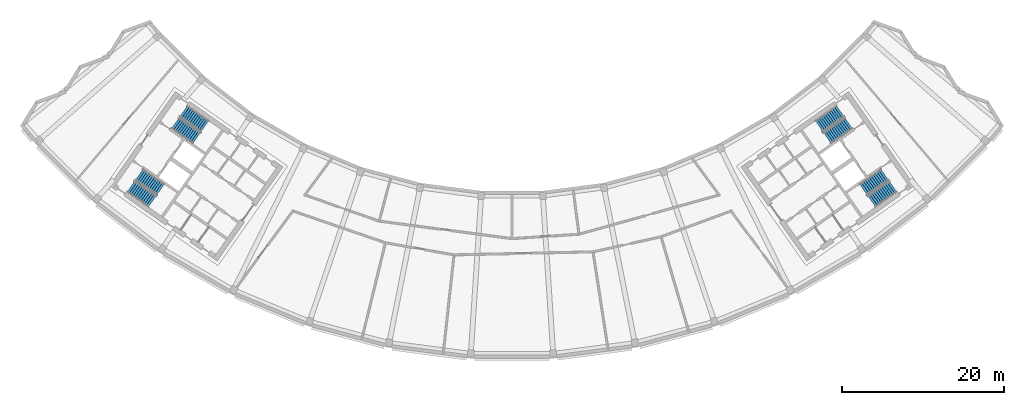
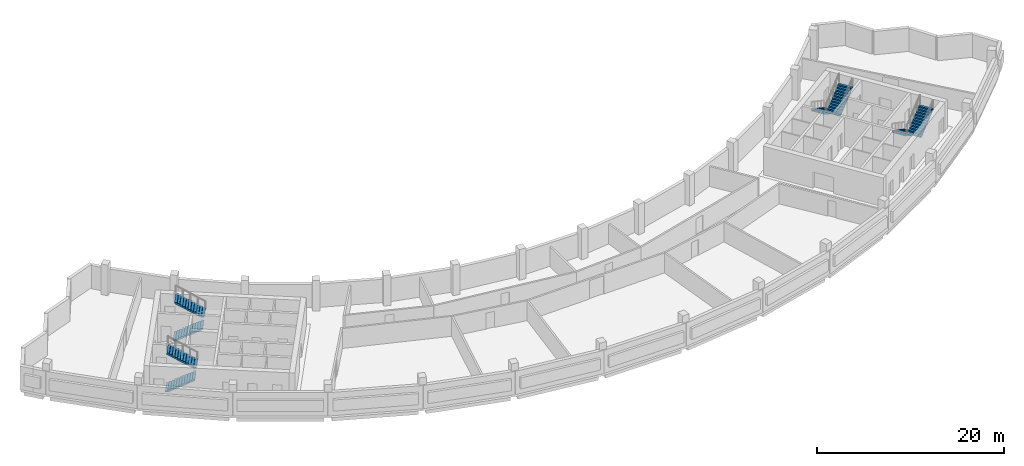
# One storey, part 7 of 11: 8 stair flights, 4 elements without a shape of their own.
"""IFC4 building model written with IfcOpenShell, lengths in metres."""

from ifc_helpers import new_model, si_unit, direction, frame, origin, place, context, subcontext, project, spatial, polyline, outline, extrude, material, type_object, element, aggregate, save


model = new_model("IFC4")

# Units and contexts
model_context = context("Model", 3, precision=1e-05, world=origin(), true_north=direction((0.0, 1.0)))
body_context = subcontext(model_context, "Body", "Model", "MODEL_VIEW")
ifc_project = project(units=[si_unit("LENGTHUNIT", "METRE"), si_unit("AREAUNIT", "SQUARE_METRE"), si_unit("VOLUMEUNIT", "CUBIC_METRE"), si_unit("PLANEANGLEUNIT", "RADIAN"), si_unit("MASSUNIT", "GRAM", prefix="KILO")], contexts=[model_context])

# Site, building, storey
site_placement = place(None, origin())
site = spatial("IfcSite", under=ifc_project, at=site_placement, CompositionType="ELEMENT")
building_placement = place(site_placement, origin())
building = spatial("IfcBuilding", under=site, at=building_placement, Name="Qamariyya Broadcast Tower", CompositionType="ELEMENT")
storey_placement = place(building_placement, frame((0.0, 0.0, 302.699951171875)))
storey = spatial("IfcBuildingStorey", under=building, at=storey_placement, Name="L73", CompositionType="ELEMENT", Elevation=302.699951171875)

# Stair, stair flights
ifc_material = material(Name="Concrete C50/60", Category="concrete")
stair_type = type_object("IfcStairType", Name="Exit stair 24 risers of 167 mm", PredefinedType="HALF_TURN_STAIR", material=ifc_material)
stair_1_placement = place(storey_placement, origin())
stair_1 = element("IfcStair", 1, at=stair_1_placement, inside=storey, type_object=stair_type, Name="L73 Stair W2", PredefinedType="HALF_TURN_STAIR")
stair_flight_type = type_object("IfcStairFlightType", Name="Exit stair flight 12 risers of 167 mm", PredefinedType="STRAIGHT", material=ifc_material)
stair_flight_1_placement = place(storey_placement, frame((-41.59130859375, -49.15966796875, 0.0), z_axis=(0.0, 0.0, 1.0), x_axis=(0.819152044289, -0.573576436351, 0.0)))
stair_flight_1 = element("IfcStairFlight", 2, at=stair_flight_1_placement, type_object=stair_flight_type, Name="ST-W2 flight 1", NumberOfRisers=12, NumberOfTreads=11, PredefinedType="STRAIGHT", RiserHeight=0.166666667, TreadLength=0.29, context=body_context, shape_type="SweptSolid", body=[
    extrude(outline(polyline([(0.0, 0.0), (0.0, 0.166748046875), (0.2900390625, 0.166748046875), (0.2900390625, 0.333251953125), (0.580078125, 0.333251953125), (0.580078125, 0.5), (0.8701171875, 0.5), (0.8701171875, 0.666748046875), (1.159912109375, 0.666748046875), (1.159912109375, 0.833251953125), (1.449951171875, 0.833251953125), (1.449951171875, 1.0), (1.739990234375, 1.0), (1.739990234375, 1.166748046875), (2.030029296875, 1.166748046875), (2.030029296875, 1.333251953125), (2.320068359375, 1.333251953125), (2.320068359375, 1.5), (2.610107421875, 1.5), (2.610107421875, 1.666748046875), (2.89990234375, 1.666748046875), (2.89990234375, 1.833251953125), (3.18994140625, 1.833251953125), (3.18994140625, 2.0), (3.18994140625, 1.660400390625), (0.30078125, 0.0), (0.0, 0.0)])), frame((0.0, 0.824951171875, 0.0), z_axis=(0.0, -1.0, 0.0), x_axis=(1.0, 0.0, 0.0)), (0.0, 0.0, 1.0), 1.64990234375),
])
stair_flight_2_placement = place(storey_placement, frame((-37.945556640625, -49.514892578125, 2.0), z_axis=(0.0, 0.0, 1.0), x_axis=(-0.819152044289, 0.573576436351, 0.0)))
stair_flight_2 = element("IfcStairFlight", 3, at=stair_flight_2_placement, type_object=stair_flight_type, Name="ST-W2 flight 2", NumberOfRisers=12, NumberOfTreads=11, PredefinedType="STRAIGHT", RiserHeight=0.166666667, TreadLength=0.29, context=body_context, shape_type="SweptSolid", body=[
    extrude(outline(polyline([(0.0, 0.0), (0.0, 0.166748046875), (0.2900390625, 0.166748046875), (0.2900390625, 0.333251953125), (0.580078125, 0.333251953125), (0.580078125, 0.5), (0.8701171875, 0.5), (0.8701171875, 0.666748046875), (1.159912109375, 0.666748046875), (1.159912109375, 0.833251953125), (1.449951171875, 0.833251953125), (1.449951171875, 1.0), (1.739990234375, 1.0), (1.739990234375, 1.166748046875), (2.030029296875, 1.166748046875), (2.030029296875, 1.333251953125), (2.320068359375, 1.333251953125), (2.320068359375, 1.5), (2.610107421875, 1.5), (2.610107421875, 1.666748046875), (2.89990234375, 1.666748046875), (2.89990234375, 1.833251953125), (3.18994140625, 1.833251953125), (3.18994140625, 2.0), (3.18994140625, 1.660400390625), (0.30078125, 0.0), (0.0, 0.0)])), frame((0.0, 0.824951171875, 0.0), z_axis=(0.0, -1.0, 0.0), x_axis=(1.0, 0.0, 0.0)), (0.0, 0.0, 1.0), 1.64990234375),
])
aggregate(stair_1, [stair_flight_1, stair_flight_2])

stair_2_placement = place(storey_placement, origin())
stair_2 = element("IfcStair", 4, at=stair_2_placement, inside=storey, type_object=stair_type, Name="L73 Stair W1", PredefinedType="HALF_TURN_STAIR")
stair_flight_3_placement = place(storey_placement, frame((-47.06884765625, -56.982666015625, 0.0), z_axis=(0.0, 0.0, 1.0), x_axis=(0.819152044289, -0.573576436351, 0.0)))
stair_flight_3 = element("IfcStairFlight", 5, at=stair_flight_3_placement, type_object=stair_flight_type, Name="ST-W1 flight 1", NumberOfRisers=12, NumberOfTreads=11, PredefinedType="STRAIGHT", RiserHeight=0.166666667, TreadLength=0.29, context=body_context, shape_type="SweptSolid", body=[
    extrude(outline(polyline([(0.0, 0.0), (0.0, 0.166748046875), (0.2900390625, 0.166748046875), (0.2900390625, 0.333251953125), (0.580078125, 0.333251953125), (0.580078125, 0.5), (0.8701171875, 0.5), (0.8701171875, 0.666748046875), (1.159912109375, 0.666748046875), (1.159912109375, 0.833251953125), (1.449951171875, 0.833251953125), (1.449951171875, 1.0), (1.739990234375, 1.0), (1.739990234375, 1.166748046875), (2.030029296875, 1.166748046875), (2.030029296875, 1.333251953125), (2.320068359375, 1.333251953125), (2.320068359375, 1.5), (2.610107421875, 1.5), (2.610107421875, 1.666748046875), (2.89990234375, 1.666748046875), (2.89990234375, 1.833251953125), (3.18994140625, 1.833251953125), (3.18994140625, 2.0), (3.18994140625, 1.660400390625), (0.30078125, 0.0), (0.0, 0.0)])), frame((0.0, 0.824951171875, 0.0), z_axis=(0.0, -1.0, 0.0), x_axis=(1.0, 0.0, 0.0)), (0.0, 0.0, 1.0), 1.64990234375),
])
stair_flight_4_placement = place(storey_placement, frame((-43.42333984375, -57.337890625, 2.0), z_axis=(0.0, 0.0, 1.0), x_axis=(-0.819152044289, 0.573576436351, 0.0)))
stair_flight_4 = element("IfcStairFlight", 6, at=stair_flight_4_placement, type_object=stair_flight_type, Name="ST-W1 flight 2", NumberOfRisers=12, NumberOfTreads=11, PredefinedType="STRAIGHT", RiserHeight=0.166666667, TreadLength=0.29, context=body_context, shape_type="SweptSolid", body=[
    extrude(outline(polyline([(0.0, 0.0), (0.0, 0.166748046875), (0.2900390625, 0.166748046875), (0.2900390625, 0.333251953125), (0.580078125, 0.333251953125), (0.580078125, 0.5), (0.8701171875, 0.5), (0.8701171875, 0.666748046875), (1.159912109375, 0.666748046875), (1.159912109375, 0.833251953125), (1.449951171875, 0.833251953125), (1.449951171875, 1.0), (1.739990234375, 1.0), (1.739990234375, 1.166748046875), (2.030029296875, 1.166748046875), (2.030029296875, 1.333251953125), (2.320068359375, 1.333251953125), (2.320068359375, 1.5), (2.610107421875, 1.5), (2.610107421875, 1.666748046875), (2.89990234375, 1.666748046875), (2.89990234375, 1.833251953125), (3.18994140625, 1.833251953125), (3.18994140625, 2.0), (3.18994140625, 1.660400390625), (0.30078125, 0.0), (0.0, 0.0)])), frame((0.0, 0.824951171875, 0.0), z_axis=(0.0, -1.0, 0.0), x_axis=(1.0, 0.0, 0.0)), (0.0, 0.0, 1.0), 1.64990234375),
])
aggregate(stair_2, [stair_flight_3, stair_flight_4])

stair_3_placement = place(storey_placement, origin())
stair_3 = element("IfcStair", 7, at=stair_3_placement, inside=storey, type_object=stair_type, Name="L73 Stair E2", PredefinedType="HALF_TURN_STAIR")
stair_flight_5_placement = place(storey_placement, frame((40.558837890625, -47.685302734375, 0.0), z_axis=(0.0, 0.0, 1.0), x_axis=(-0.819152044289, -0.573576436351, 0.0)))
stair_flight_5 = element("IfcStairFlight", 8, at=stair_flight_5_placement, type_object=stair_flight_type, Name="ST-E2 flight 1", NumberOfRisers=12, NumberOfTreads=11, PredefinedType="STRAIGHT", RiserHeight=0.166666667, TreadLength=0.29, context=body_context, shape_type="SweptSolid", body=[
    extrude(outline(polyline([(0.0, 0.0), (0.0, 0.166748046875), (0.2900390625, 0.166748046875), (0.2900390625, 0.333251953125), (0.580078125, 0.333251953125), (0.580078125, 0.5), (0.8701171875, 0.5), (0.8701171875, 0.666748046875), (1.159912109375, 0.666748046875), (1.159912109375, 0.833251953125), (1.449951171875, 0.833251953125), (1.449951171875, 1.0), (1.739990234375, 1.0), (1.739990234375, 1.166748046875), (2.030029296875, 1.166748046875), (2.030029296875, 1.333251953125), (2.320068359375, 1.333251953125), (2.320068359375, 1.5), (2.610107421875, 1.5), (2.610107421875, 1.666748046875), (2.89990234375, 1.666748046875), (2.89990234375, 1.833251953125), (3.18994140625, 1.833251953125), (3.18994140625, 2.0), (3.18994140625, 1.660400390625), (0.30078125, 0.0), (0.0, 0.0)])), frame((0.0, 0.824951171875, 0.0), z_axis=(0.0, -1.0, 0.0), x_axis=(1.0, 0.0, 0.0)), (0.0, 0.0, 1.0), 1.64990234375),
])
stair_flight_6_placement = place(storey_placement, frame((38.97802734375, -50.989501953125, 2.0), z_axis=(0.0, 0.0, 1.0), x_axis=(0.819152044289, 0.573576436351, 0.0)))
stair_flight_6 = element("IfcStairFlight", 9, at=stair_flight_6_placement, type_object=stair_flight_type, Name="ST-E2 flight 2", NumberOfRisers=12, NumberOfTreads=11, PredefinedType="STRAIGHT", RiserHeight=0.166666667, TreadLength=0.29, context=body_context, shape_type="SweptSolid", body=[
    extrude(outline(polyline([(0.0, 0.0), (0.0, 0.166748046875), (0.2900390625, 0.166748046875), (0.2900390625, 0.333251953125), (0.580078125, 0.333251953125), (0.580078125, 0.5), (0.8701171875, 0.5), (0.8701171875, 0.666748046875), (1.159912109375, 0.666748046875), (1.159912109375, 0.833251953125), (1.449951171875, 0.833251953125), (1.449951171875, 1.0), (1.739990234375, 1.0), (1.739990234375, 1.166748046875), (2.030029296875, 1.166748046875), (2.030029296875, 1.333251953125), (2.320068359375, 1.333251953125), (2.320068359375, 1.5), (2.610107421875, 1.5), (2.610107421875, 1.666748046875), (2.89990234375, 1.666748046875), (2.89990234375, 1.833251953125), (3.18994140625, 1.833251953125), (3.18994140625, 2.0), (3.18994140625, 1.660400390625), (0.30078125, 0.0), (0.0, 0.0)])), frame((0.0, 0.824951171875, 0.0), z_axis=(0.0, -1.0, 0.0), x_axis=(1.0, 0.0, 0.0)), (0.0, 0.0, 1.0), 1.64990234375),
])
aggregate(stair_3, [stair_flight_5, stair_flight_6])

stair_4_placement = place(storey_placement, origin())
stair_4 = element("IfcStair", 10, at=stair_4_placement, inside=storey, type_object=stair_type, Name="L73 Stair E1", PredefinedType="HALF_TURN_STAIR")
stair_flight_7_placement = place(storey_placement, frame((46.036376953125, -55.508056640625, 0.0), z_axis=(0.0, 0.0, 1.0), x_axis=(-0.819152044289, -0.573576436351, 0.0)))
stair_flight_7 = element("IfcStairFlight", 11, at=stair_flight_7_placement, type_object=stair_flight_type, Name="ST-E1 flight 1", NumberOfRisers=12, NumberOfTreads=11, PredefinedType="STRAIGHT", RiserHeight=0.166666667, TreadLength=0.29, context=body_context, shape_type="SweptSolid", body=[
    extrude(outline(polyline([(0.0, 0.0), (0.0, 0.166748046875), (0.2900390625, 0.166748046875), (0.2900390625, 0.333251953125), (0.580078125, 0.333251953125), (0.580078125, 0.5), (0.8701171875, 0.5), (0.8701171875, 0.666748046875), (1.159912109375, 0.666748046875), (1.159912109375, 0.833251953125), (1.449951171875, 0.833251953125), (1.449951171875, 1.0), (1.739990234375, 1.0), (1.739990234375, 1.166748046875), (2.030029296875, 1.166748046875), (2.030029296875, 1.333251953125), (2.320068359375, 1.333251953125), (2.320068359375, 1.5), (2.610107421875, 1.5), (2.610107421875, 1.666748046875), (2.89990234375, 1.666748046875), (2.89990234375, 1.833251953125), (3.18994140625, 1.833251953125), (3.18994140625, 2.0), (3.18994140625, 1.660400390625), (0.30078125, 0.0), (0.0, 0.0)])), frame((0.0, 0.824951171875, 0.0), z_axis=(0.0, -1.0, 0.0), x_axis=(1.0, 0.0, 0.0)), (0.0, 0.0, 1.0), 1.64990234375),
])
stair_flight_8_placement = place(storey_placement, frame((44.455810546875, -58.812255859375, 2.0), z_axis=(0.0, 0.0, 1.0), x_axis=(0.819152044289, 0.573576436351, 0.0)))
stair_flight_8 = element("IfcStairFlight", 12, at=stair_flight_8_placement, type_object=stair_flight_type, Name="ST-E1 flight 2", NumberOfRisers=12, NumberOfTreads=11, PredefinedType="STRAIGHT", RiserHeight=0.166666667, TreadLength=0.29, context=body_context, shape_type="SweptSolid", body=[
    extrude(outline(polyline([(0.0, 0.0), (0.0, 0.166748046875), (0.2900390625, 0.166748046875), (0.2900390625, 0.333251953125), (0.580078125, 0.333251953125), (0.580078125, 0.5), (0.8701171875, 0.5), (0.8701171875, 0.666748046875), (1.159912109375, 0.666748046875), (1.159912109375, 0.833251953125), (1.449951171875, 0.833251953125), (1.449951171875, 1.0), (1.739990234375, 1.0), (1.739990234375, 1.166748046875), (2.030029296875, 1.166748046875), (2.030029296875, 1.333251953125), (2.320068359375, 1.333251953125), (2.320068359375, 1.5), (2.610107421875, 1.5), (2.610107421875, 1.666748046875), (2.89990234375, 1.666748046875), (2.89990234375, 1.833251953125), (3.18994140625, 1.833251953125), (3.18994140625, 2.0), (3.18994140625, 1.660400390625), (0.30078125, 0.0), (0.0, 0.0)])), frame((0.0, 0.824951171875, 0.0), z_axis=(0.0, -1.0, 0.0), x_axis=(1.0, 0.0, 0.0)), (0.0, 0.0, 1.0), 1.64990234375),
])
aggregate(stair_4, [stair_flight_7, stair_flight_8])

save(model, "model.ifc")
